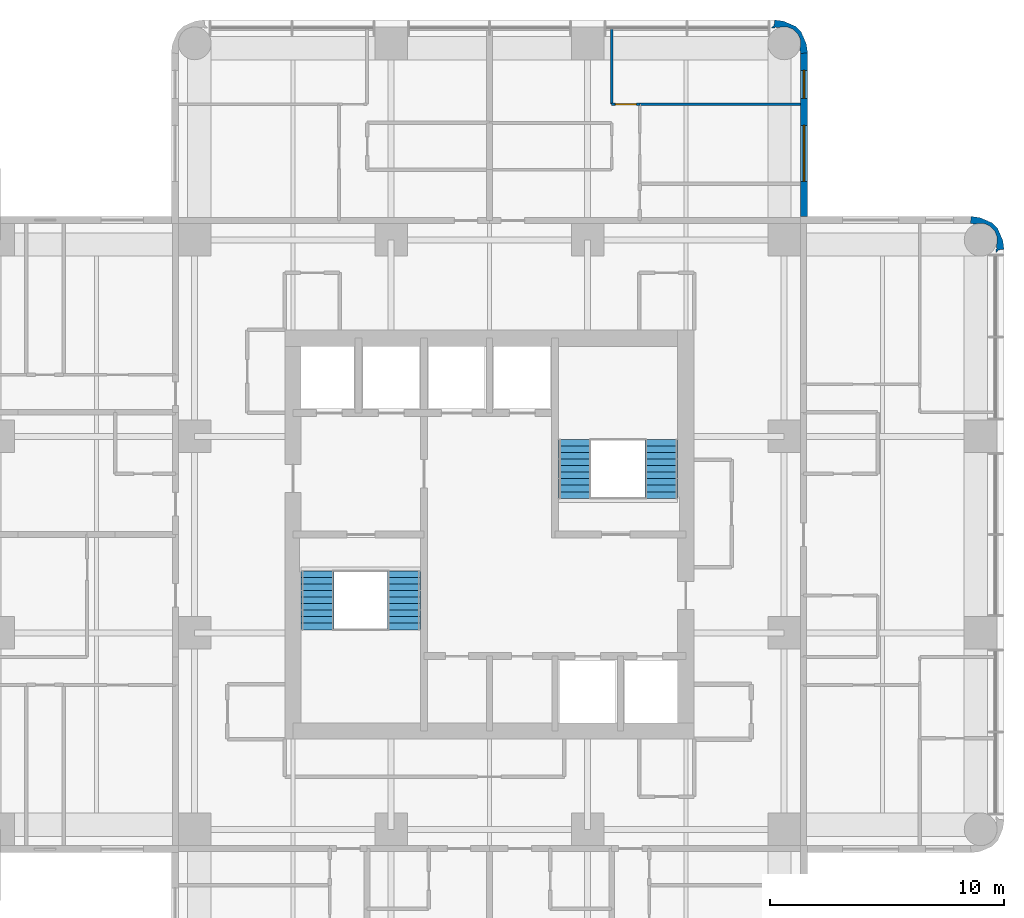
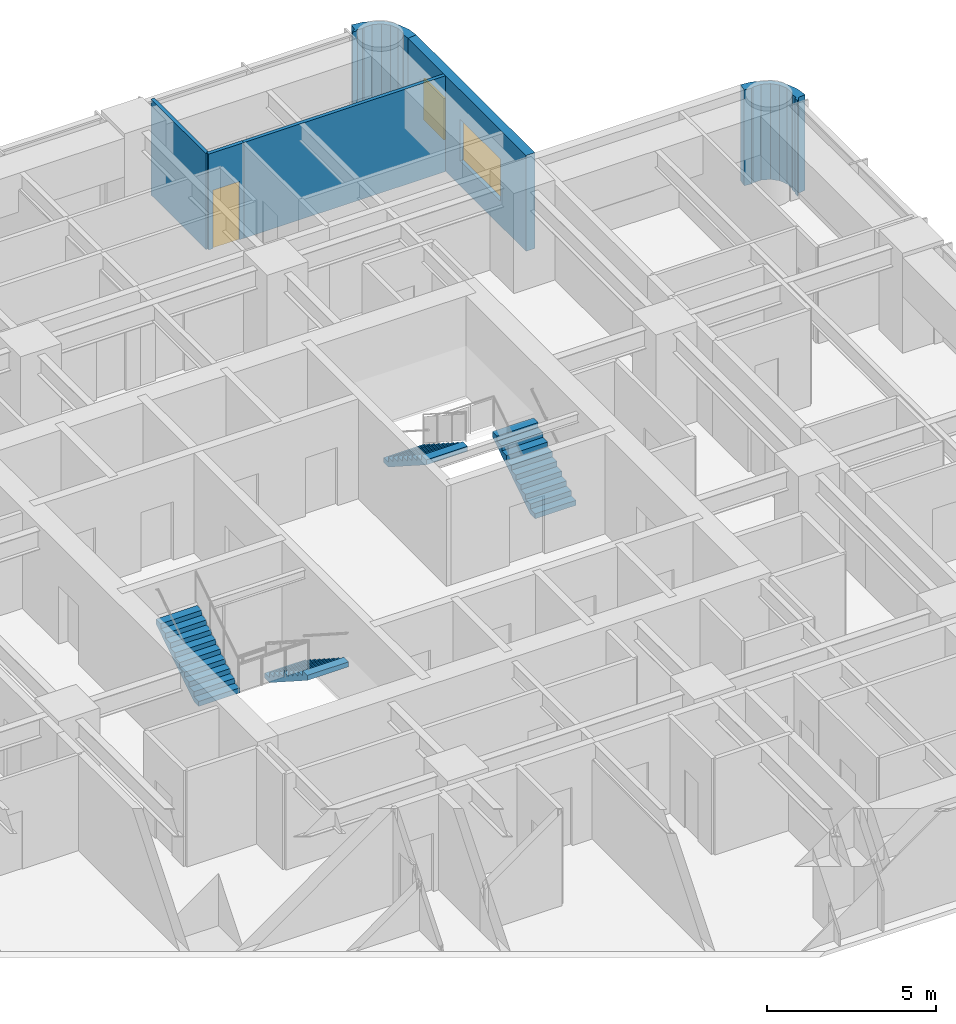
# One storey, part 10 of 11: 6 walls, 4 stair flights, 2 windows, 1 door, 3 openings, 2 elements without a shape of their own.
"""IFC4 building model written with IfcOpenShell, lengths in metres."""

from ifc_helpers import new_model, si_unit, direction, frame, frame_2d, origin, place, context, subcontext, project, spatial, polyline, rectangle, outline, extrude, material, layer, layer_set, type_object, element, fill, aggregate, save


model = new_model("IFC4")

# Units and contexts
model_context = context("Model", 3, precision=1e-05, world=origin(), true_north=direction((0.0, 1.0)))
body_context = subcontext(model_context, "Body", "Model", "MODEL_VIEW")
ifc_project = project(units=[si_unit("LENGTHUNIT", "METRE"), si_unit("AREAUNIT", "SQUARE_METRE"), si_unit("VOLUMEUNIT", "CUBIC_METRE"), si_unit("PLANEANGLEUNIT", "RADIAN"), si_unit("MASSUNIT", "GRAM", prefix="KILO")], contexts=[model_context])

# Site, building, storey
site_placement = place(None, origin())
site = spatial("IfcSite", under=ifc_project, at=site_placement, CompositionType="ELEMENT")
building_placement = place(site_placement, origin())
building = spatial("IfcBuilding", under=site, at=building_placement, Name="Torre Alcanfor", CompositionType="ELEMENT")
storey_placement = place(building_placement, frame((0.0, 0.0, 237.300048828125)))
storey = spatial("IfcBuildingStorey", under=building, at=storey_placement, Name="L62", CompositionType="ELEMENT", Elevation=237.300048828125)

# Wall
ifc_material_1 = material(Name="Gypsum board on steel studs", Category="steel")
ifc_layer_1 = layer(ifc_material_1, 0.1201171875)
ifc_layer_set_1 = layer_set([ifc_layer_1], Name="Apartment partition 120")
wall_type_1 = type_object("IfcWallType", Name="Apartment partition 120", PredefinedType="PARTITIONING", material=ifc_layer_set_1)
wall_1_placement = place(storey_placement, frame((34.62890625, 51.050048828125, 0.0), z_axis=(0.0, 0.0, 1.0), x_axis=(0.0, -1.0, 0.0)))
element("IfcWall", 1, at=wall_1_placement, inside=storey, type_object=wall_type_1, Name="Partition L62-N2-LIVING / L62-N2-MASTER", PredefinedType="PARTITIONING", context=body_context, shape_type="SweptSolid", body=[
    extrude(rectangle(XDim=3.25, YDim=0.1201171875, at=frame_2d((1.625, 0.0))), origin(), (0.0, 0.0, 1.0), 3.449951171875),
])

# Wall, opening, door
wall_2_placement = place(storey_placement, frame((34.62890625, 47.800048828125, 0.0), z_axis=(0.0, 0.0, 1.0), x_axis=(1.0, 0.0, 0.0)))
wall_2 = element("IfcWall", 2, at=wall_2_placement, inside=storey, type_object=wall_type_1, Name="Partition L62-N2-LIVING / L62-N2-MASTER", PredefinedType="PARTITIONING", context=body_context, shape_type="SweptSolid", body=[
    extrude(rectangle(XDim=1.2001953125, YDim=0.1201171875, at=frame_2d((0.60009765625, 0.0))), origin(), (0.0, 0.0, 1.0), 3.449951171875),
])
opening_1_placement = place(wall_2_placement, frame((0.15087890625, 0.0, 0.0)))
opening_1 = element("IfcOpeningElement", 3, at=opening_1_placement, cuts=wall_2, Name="Opening D-R1", PredefinedType="OPENING", context=body_context, shape_type="SweptSolid", body=[
    extrude(rectangle(XDim=0.89990234375, YDim=2.10009765625, at=frame_2d((0.449951171875, 1.050048828125))), frame((0.0, 0.070068359375, 0.0), z_axis=(0.0, -1.0, 0.0), x_axis=(1.0, 0.0, 0.0)), (0.0, 0.0, 1.0), 0.14013671875),
])
ifc_material_2 = material(Name="Timber", Category="wood")
door_type = type_object("IfcDoorType", Name="Internal door 900x2100", OperationType="SINGLE_SWING_LEFT", PredefinedType="DOOR", material=ifc_material_2)
door_placement = place(opening_1_placement, origin())
door = element("IfcDoor", 4, at=door_placement, inside=storey, type_object=door_type, Name="Door L62-N2 master", OperationType="SINGLE_SWING_LEFT", OverallHeight=2.10009765625, OverallWidth=0.89990234375, PredefinedType="DOOR", context=body_context, shape_type="SweptSolid", body=[
    extrude(rectangle(XDim=0.89990234375, YDim=2.10009765625, at=frame_2d((0.449951171875, 1.050048828125))), frame((0.0, 0.02490234375, 0.0), z_axis=(0.0, -1.0, 0.0), x_axis=(1.0, 0.0, 0.0)), (0.0, 0.0, 1.0), 0.050048828125),
])
fill(opening_1, door)

# Wall
wall_3_placement = place(storey_placement, frame((35.8291015625, 47.800048828125, 0.0), z_axis=(0.0, 0.0, 1.0), x_axis=(1.0, 0.0, 0.0)))
element("IfcWall", 5, at=wall_3_placement, inside=storey, type_object=wall_type_1, Name="Partition L62-N2-STUDY / L62-N2-MASTER", PredefinedType="PARTITIONING", context=body_context, shape_type="SweptSolid", body=[
    extrude(rectangle(XDim=6.870849609375, YDim=0.1201171875, at=frame_2d((3.435546875, 0.0))), origin(), (0.0, 0.0, 1.0), 3.449951171875),
])

# Wall, openings, windows
ifc_material_3 = material(Name="Limestone cladding", Category="masonry")
ifc_layer_2 = layer(ifc_material_3, 0.0400390625, Name="Facing")
ifc_material_4 = material(Name="Ventilated air cavity")
ifc_layer_3 = layer(ifc_material_4, 0.02001953125, ventilated=True, Name="Ventilated joint")
ifc_material_5 = material(Name="Mineral wool insulation", Category="insulation")
ifc_layer_4 = layer(ifc_material_5, 0.10009765625, Name="Insulation")
ifc_material_6 = material(Name="Concrete f'c 35 MPa", Category="concrete")
ifc_layer_5 = layer(ifc_material_6, 0.139892578125, Name="Backing")
ifc_layer_set_2 = layer_set([ifc_layer_2, ifc_layer_3, ifc_layer_4, ifc_layer_5], Name="External wall stone-clad 300")
wall_type_2 = type_object("IfcWallType", Name="External wall stone-clad 300", PredefinedType="SOLIDWALL", material=ifc_layer_set_2)
wall_4_placement = place(storey_placement, frame((42.85009765625, 43.0, 0.0), z_axis=(0.0, 0.0, 1.0), x_axis=(0.0, 1.0, 0.0)))
wall_4 = element("IfcWall", 6, at=wall_4_placement, inside=storey, type_object=wall_type_2, Name="External wall L62 10", PredefinedType="SOLIDWALL", context=body_context, shape_type="SweptSolid", body=[
    extrude(rectangle(XDim=7.0, YDim=0.300048828125, at=frame_2d((3.5, 0.0))), origin(), (0.0, 0.0, 1.0), 3.449951171875),
])
opening_2_placement = place(wall_4_placement, frame((1.5, 0.0, 0.89990234375)))
opening_2 = element("IfcOpeningElement", 7, at=opening_2_placement, cuts=wall_4, Name="Opening W1", PredefinedType="OPENING", context=body_context, shape_type="SweptSolid", body=[
    extrude(rectangle(XDim=2.39990234375, YDim=1.5, at=frame_2d((1.199951171875, 0.75))), frame((0.0, 0.159912109375, 0.0), z_axis=(0.0, -1.0, 0.0), x_axis=(1.0, 0.0, 0.0)), (0.0, 0.0, 1.0), 0.320068359375),
])
opening_3_placement = place(wall_4_placement, frame((5.050048828125, 0.0, 0.89990234375)))
opening_3 = element("IfcOpeningElement", 8, at=opening_3_placement, cuts=wall_4, Name="Opening W4", PredefinedType="OPENING", context=body_context, shape_type="SweptSolid", body=[
    extrude(rectangle(XDim=1.199951171875, YDim=1.5, at=frame_2d((0.60009765625, 0.75))), frame((0.0, 0.159912109375, 0.0), z_axis=(0.0, -1.0, 0.0), x_axis=(1.0, 0.0, 0.0)), (0.0, 0.0, 1.0), 0.320068359375),
])
ifc_material_7 = material(Name="Aluminium frame with clear double glazing", Category="aluminium")
window_type_1 = type_object("IfcWindowType", Name="Window bedroom 1200x1500", PartitioningType="SINGLE_PANEL", PredefinedType="WINDOW", material=ifc_material_7)
window_1_placement = place(opening_3_placement, origin())
window_1 = element("IfcWindow", 9, at=window_1_placement, inside=storey, type_object=window_type_1, Name="Window W4 L62-N2", OverallHeight=1.5, OverallWidth=1.199951171875, PartitioningType="SINGLE_PANEL", PredefinedType="WINDOW", context=body_context, shape_type="SweptSolid", body=[
    extrude(rectangle(XDim=1.199951171875, YDim=1.5, at=frame_2d((0.60009765625, 0.75))), frame((0.0, 0.030029296875, 0.0), z_axis=(0.0, -1.0, 0.0), x_axis=(1.0, 0.0, 0.0)), (0.0, 0.0, 1.0), 0.06005859375),
])
fill(opening_3, window_1)
ifc_material_8 = material(Name="Aluminium frame with clear double glazing", Category="aluminium")
window_type_2 = type_object("IfcWindowType", Name="Window bedroom 2400x1500", PartitioningType="SINGLE_PANEL", PredefinedType="WINDOW", material=ifc_material_8)
window_2_placement = place(opening_2_placement, origin())
window_2 = element("IfcWindow", 10, at=window_2_placement, inside=storey, type_object=window_type_2, Name="Window W1 L62-N2", OverallHeight=1.5, OverallWidth=2.39990234375, PartitioningType="SINGLE_PANEL", PredefinedType="WINDOW", context=body_context, shape_type="SweptSolid", body=[
    extrude(rectangle(XDim=2.39990234375, YDim=1.5, at=frame_2d((1.199951171875, 0.75))), frame((0.0, 0.030029296875, 0.0), z_axis=(0.0, -1.0, 0.0), x_axis=(1.0, 0.0, 0.0)), (0.0, 0.0, 1.0), 0.06005859375),
])
fill(opening_2, window_2)

# Walls
ifc_layer_6 = layer(ifc_material_3, 0.0400390625, Name="Facing")
ifc_layer_7 = layer(ifc_material_4, 0.02001953125, ventilated=True, Name="Ventilated joint")
ifc_layer_8 = layer(ifc_material_5, 0.10009765625, Name="Insulation")
ifc_layer_9 = layer(ifc_material_6, 0.139892578125, Name="Backing")
ifc_layer_set_3 = layer_set([ifc_layer_6, ifc_layer_7, ifc_layer_8, ifc_layer_9], Name="Rounded corner pier stone-clad 300")
wall_type_3 = type_object("IfcWallType", Name="Rounded corner pier stone-clad 300", PredefinedType="SOLIDWALL", material=ifc_layer_set_3)
wall_5_placement = place(storey_placement, frame((50.98815184, 41.487674505, 0.0), z_axis=(0.0, 0.0, 1.0), x_axis=(0.898030234854, 0.439933741929, 0.0)))
element("IfcWall", 11, at=wall_5_placement, inside=storey, type_object=wall_type_3, Name="Corner pier L62 18", PredefinedType="SOLIDWALL", context=body_context, shape_type="SweptSolid", body=[
    extrude(outline(polyline([(0.13762845900144902, -0.0395605783475044), (0.18185793649134802, -0.00033087416050568697), (0.41922313919285215, -0.08018355093564442), (0.535860291835806, 0.2661211239178742), (0.5587746083679793, 0.6308813409414961), (0.5545700157158291, 0.6511558966825934), (0.5663920082639611, 0.8356681075750403), (0.45545119814889223, 1.159160361177863), (0.33312688681130387, 1.297925592490813), (0.32402252373636403, 1.3165225487705126), (0.08234923743790223, 1.5906923948786469), (-0.22206721491752535, 1.7928353560160377), (-0.38958661601048106, 1.540782159618673), (-0.3718277173231749, 1.5320822980229156), (-0.19464371431186422, 1.4142897687749243), (-0.11970407362674929, 1.4096575385515544), (0.13067447329798665, 1.2870002306212465), (0.31526160288378063, 1.0777694581339308), (0.4057356995697948, 0.8140544036891404), (0.38812563637514036, 0.5355946934281371), (0.26546832844483254, 0.28521614650340116), (0.2089867161004748, 0.23540500505176065), (0.14757776297591008, 0.05289210976982966), (0.10504410439149783, 0.07372881532016215), (0.03190082356790798, -0.07557748105089318), (0.13762845900144902, -0.0395605783475044)])), origin(), (0.0, 0.0, 1.0), 3.449951171875),
])
wall_6_placement = place(storey_placement, frame((42.724211819, 50.110315272, 0.0), z_axis=(0.0, 0.0, 1.0), x_axis=(0.439933741929, 0.898030234854, 0.0)))
element("IfcWall", 12, at=wall_6_placement, inside=storey, type_object=wall_type_3, Name="Corner pier L62 19", PredefinedType="SOLIDWALL", context=body_context, shape_type="SweptSolid", body=[
    extrude(outline(polyline([(-0.14525732426811072, -0.04414433895897353), (0.0222620768248451, -0.29619753535633836), (0.3266785291802725, -0.09405457421894756), (0.5683518154787345, 0.1801152718891868), (0.5774561785536743, 0.19871222816888634), (0.6997804898912626, 0.33747745948183633), (0.8107213000063315, 0.6609697130846591), (0.7988993074581994, 0.8454819239771059), (0.8031039001103497, 0.8657564797182034), (0.7801895835781762, 1.2305166967418253), (0.6635524309352225, 1.5768213715953436), (0.42618722823371835, 1.496968694820205), (0.38195775074381944, 1.5361983990072037), (0.2762301153102783, 1.5722153017105926), (0.3493733961338682, 1.4229090053395372), (0.39190705471828047, 1.4437457108898697), (0.45331600784284515, 1.2612328156079387), (0.5097976201872029, 1.2114216741562982), (0.6324549281175107, 0.9610431272315622), (0.6500649913121652, 0.6825834169705589), (0.559590894626151, 0.4188683625257686), (0.37500376504035704, 0.20963759003845278), (0.1246252181156211, 0.08698028210814499), (0.04968557743050611, 0.08234805188477495), (-0.12749842558080457, -0.035444477363216154), (-0.14525732426811072, -0.04414433895897353)])), origin(), (0.0, 0.0, 1.0), 3.449951171875),
])

# Stair, stair flights
ifc_material_9 = material(Name="Concrete f'c 35 MPa", Category="concrete")
stair_type_1 = type_object("IfcStairType", Name="Exit stair S1 1400 wide", PredefinedType="HALF_TURN_STAIR", material=ifc_material_9)
stair_1_placement = place(storey_placement, origin())
stair_1 = element("IfcStair", 13, at=stair_1_placement, inside=storey, type_object=stair_type_1, Name="Stair S1 L62 to L63", PredefinedType="HALF_TURN_STAIR")
ifc_material_10 = material(Name="Concrete f'c 35 MPa", Category="concrete")
stair_flight_type = type_object("IfcStairFlightType", Name="Stair flight 1400", PredefinedType="STRAIGHT", material=ifc_material_10)
stair_flight_1_placement = place(storey_placement, frame((25.75, 27.85009765625, 0.0), z_axis=(0.0, 0.0, 1.0), x_axis=(0.0, -1.0, 0.0)))
stair_flight_1 = element("IfcStairFlight", 14, at=stair_flight_1_placement, type_object=stair_flight_type, Name="S1 flight 1", NumberOfRisers=10, NumberOfTreads=9, PredefinedType="STRAIGHT", RiserHeight=0.18, TreadLength=0.28, context=body_context, shape_type="SweptSolid", body=[
    extrude(outline(polyline([(0.0, 0.0), (0.0, 0.179931640625), (0.280029296875, 0.179931640625), (0.280029296875, 0.360107421875), (0.56005859375, 0.360107421875), (0.56005859375, 0.5400390625), (0.840087890625, 0.5400390625), (0.840087890625, 0.719970703125), (1.1201171875, 0.719970703125), (1.1201171875, 0.89990234375), (1.39990234375, 0.89990234375), (1.39990234375, 1.080078125), (1.679931640625, 1.080078125), (1.679931640625, 1.260009765625), (1.9599609375, 1.260009765625), (1.9599609375, 1.43994140625), (2.239990234375, 1.43994140625), (2.239990234375, 1.6201171875), (2.52001953125, 1.6201171875), (2.52001953125, 1.800048828125), (2.52001953125, 1.44189453125), (0.277099609375, 0.0), (0.0, 0.0)])), frame((0.0, 0.699951171875, 0.0), z_axis=(0.0, -1.0, 0.0), x_axis=(1.0, 0.0, 0.0)), (0.0, 0.0, 1.0), 1.39990234375),
])
stair_flight_2_placement = place(storey_placement, frame((22.050048828125, 25.330078125, 1.800048828125), z_axis=(0.0, 0.0, 1.0), x_axis=(0.0, 1.0, 0.0)))
stair_flight_2 = element("IfcStairFlight", 15, at=stair_flight_2_placement, type_object=stair_flight_type, Name="S1 flight 2", NumberOfRisers=10, NumberOfTreads=9, PredefinedType="STRAIGHT", RiserHeight=0.18, TreadLength=0.28, context=body_context, shape_type="SweptSolid", body=[
    extrude(outline(polyline([(0.0, 0.0), (0.0, 0.179931640625), (0.280029296875, 0.179931640625), (0.280029296875, 0.360107421875), (0.56005859375, 0.360107421875), (0.56005859375, 0.5400390625), (0.840087890625, 0.5400390625), (0.840087890625, 0.719970703125), (1.1201171875, 0.719970703125), (1.1201171875, 0.89990234375), (1.39990234375, 0.89990234375), (1.39990234375, 1.080078125), (1.679931640625, 1.080078125), (1.679931640625, 1.260009765625), (1.9599609375, 1.260009765625), (1.9599609375, 1.43994140625), (2.239990234375, 1.43994140625), (2.239990234375, 1.6201171875), (2.52001953125, 1.6201171875), (2.52001953125, 1.800048828125), (2.52001953125, 1.44189453125), (0.277099609375, 0.0), (0.0, 0.0)])), frame((0.0, 0.699951171875, 0.0), z_axis=(0.0, -1.0, 0.0), x_axis=(1.0, 0.0, 0.0)), (0.0, 0.0, 1.0), 1.39990234375),
])
aggregate(stair_1, [stair_flight_1, stair_flight_2])

ifc_material_11 = material(Name="Concrete f'c 35 MPa", Category="concrete")
stair_type_2 = type_object("IfcStairType", Name="Exit stair S2 1400 wide", PredefinedType="HALF_TURN_STAIR", material=ifc_material_11)
stair_2_placement = place(storey_placement, origin())
stair_2 = element("IfcStair", 16, at=stair_2_placement, inside=storey, type_object=stair_type_2, Name="Stair S2 L62 to L63", PredefinedType="HALF_TURN_STAIR")
stair_flight_3_placement = place(storey_placement, frame((36.75, 30.949951171875, 0.0), z_axis=(0.0, 0.0, 1.0), x_axis=(0.0, 1.0, 0.0)))
stair_flight_3 = element("IfcStairFlight", 17, at=stair_flight_3_placement, type_object=stair_flight_type, Name="S2 flight 1", NumberOfRisers=10, NumberOfTreads=9, PredefinedType="STRAIGHT", RiserHeight=0.18, TreadLength=0.28, context=body_context, shape_type="SweptSolid", body=[
    extrude(outline(polyline([(0.0, 0.0), (0.0, 0.179931640625), (0.280029296875, 0.179931640625), (0.280029296875, 0.360107421875), (0.56005859375, 0.360107421875), (0.56005859375, 0.5400390625), (0.840087890625, 0.5400390625), (0.840087890625, 0.719970703125), (1.1201171875, 0.719970703125), (1.1201171875, 0.89990234375), (1.39990234375, 0.89990234375), (1.39990234375, 1.080078125), (1.679931640625, 1.080078125), (1.679931640625, 1.260009765625), (1.9599609375, 1.260009765625), (1.9599609375, 1.43994140625), (2.239990234375, 1.43994140625), (2.239990234375, 1.6201171875), (2.52001953125, 1.6201171875), (2.52001953125, 1.800048828125), (2.52001953125, 1.44189453125), (0.277099609375, 0.0), (0.0, 0.0)])), frame((0.0, 0.699951171875, 0.0), z_axis=(0.0, -1.0, 0.0), x_axis=(1.0, 0.0, 0.0)), (0.0, 0.0, 1.0), 1.39990234375),
])
stair_flight_4_placement = place(storey_placement, frame((33.050048828125, 33.469970703125, 1.800048828125), z_axis=(0.0, 0.0, 1.0), x_axis=(0.0, -1.0, 0.0)))
stair_flight_4 = element("IfcStairFlight", 18, at=stair_flight_4_placement, type_object=stair_flight_type, Name="S2 flight 2", NumberOfRisers=10, NumberOfTreads=9, PredefinedType="STRAIGHT", RiserHeight=0.18, TreadLength=0.28, context=body_context, shape_type="SweptSolid", body=[
    extrude(outline(polyline([(0.0, 0.0), (0.0, 0.179931640625), (0.280029296875, 0.179931640625), (0.280029296875, 0.360107421875), (0.56005859375, 0.360107421875), (0.56005859375, 0.5400390625), (0.840087890625, 0.5400390625), (0.840087890625, 0.719970703125), (1.1201171875, 0.719970703125), (1.1201171875, 0.89990234375), (1.39990234375, 0.89990234375), (1.39990234375, 1.080078125), (1.679931640625, 1.080078125), (1.679931640625, 1.260009765625), (1.9599609375, 1.260009765625), (1.9599609375, 1.43994140625), (2.239990234375, 1.43994140625), (2.239990234375, 1.6201171875), (2.52001953125, 1.6201171875), (2.52001953125, 1.800048828125), (2.52001953125, 1.44189453125), (0.277099609375, 0.0), (0.0, 0.0)])), frame((0.0, 0.699951171875, 0.0), z_axis=(0.0, -1.0, 0.0), x_axis=(1.0, 0.0, 0.0)), (0.0, 0.0, 1.0), 1.39990234375),
])
aggregate(stair_2, [stair_flight_3, stair_flight_4])

save(model, "model.ifc")
